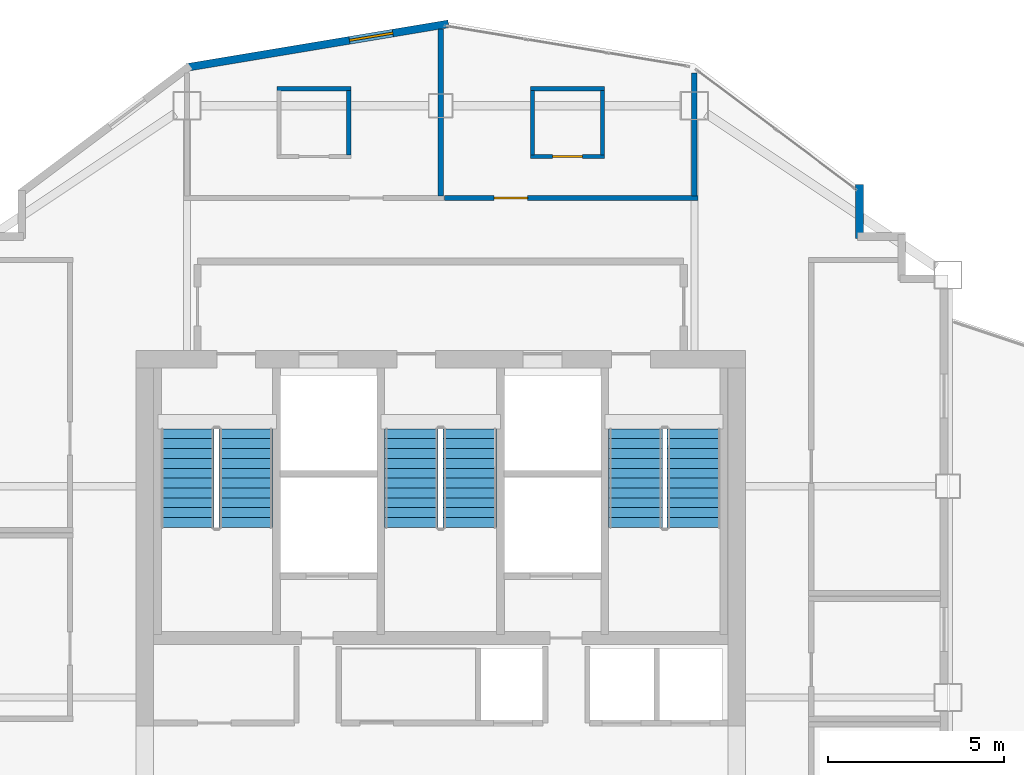
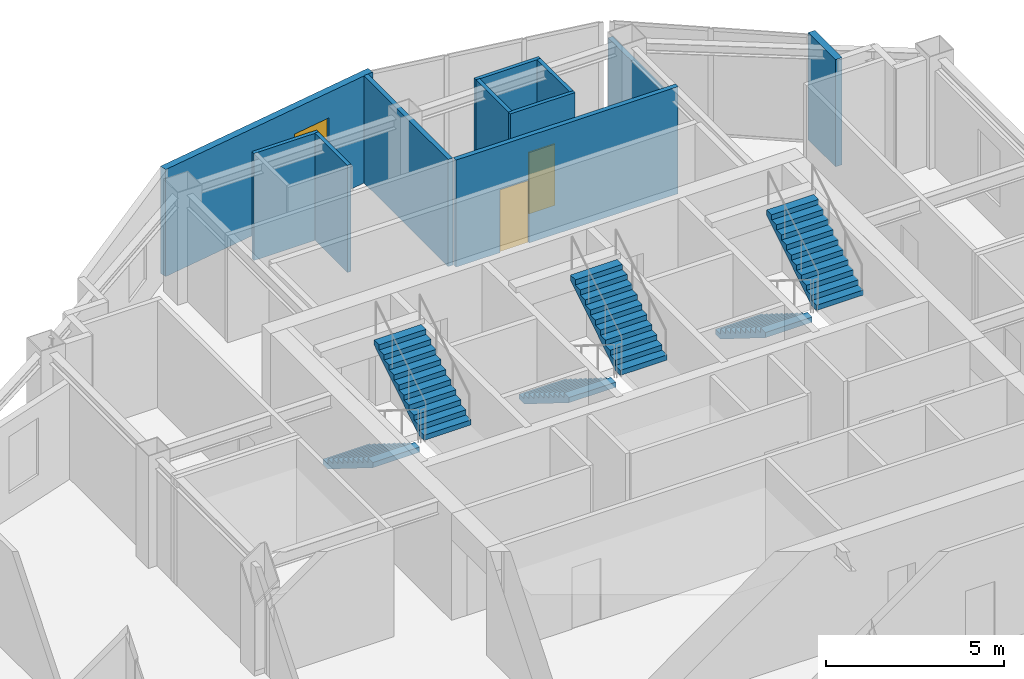
# One storey, part 8 of 10: 11 walls, 6 stair flights, 2 doors, 1 window, 3 openings, 3 elements without a shape of their own.
"""IFC4 building model written with IfcOpenShell, lengths in metres."""

from ifc_helpers import new_model, si_unit, direction, frame, frame_2d, origin, place, context, subcontext, project, spatial, polyline, rectangle, outline, extrude, material, layer, layer_set, type_object, element, fill, aggregate, save


model = new_model("IFC4")

# Units and contexts
model_context = context("Model", 3, precision=1e-05, world=origin(), true_north=direction((0.0, 1.0)))
body_context = subcontext(model_context, "Body", "Model", "MODEL_VIEW")
ifc_project = project(units=[si_unit("LENGTHUNIT", "METRE"), si_unit("AREAUNIT", "SQUARE_METRE"), si_unit("VOLUMEUNIT", "CUBIC_METRE"), si_unit("PLANEANGLEUNIT", "RADIAN"), si_unit("MASSUNIT", "GRAM", prefix="KILO")], contexts=[model_context])

# Site, building, storey
site_placement = place(None, origin())
site = spatial("IfcSite", under=ifc_project, at=site_placement, CompositionType="ELEMENT")
building_placement = place(site_placement, origin())
building = spatial("IfcBuilding", under=site, at=building_placement, Name="Haolan Belvedere Tower", CompositionType="ELEMENT")
storey_placement = place(building_placement, frame((0.0, 0.0, 235.199951171875)))
storey = spatial("IfcBuildingStorey", under=building, at=storey_placement, Name="L59", CompositionType="ELEMENT", Elevation=235.199951171875)

# Wall
ifc_material_1 = material(Name="Precast concrete C40/50", Category="concrete")
ifc_layer_1 = layer(ifc_material_1, 0.219970703125, Name="Precast concrete C40/50")
ifc_layer_set_1 = layer_set([ifc_layer_1], Name="Precast concrete C40/50")
wall_type_1 = type_object("IfcWallType", Name="WL-EXT-220", PredefinedType="SOLIDWALL", material=ifc_layer_set_1)
wall_1_placement = place(storey_placement, frame((50.2900390625, 46.635009765625, 0.0), z_axis=(0.0, 0.0, 1.0), x_axis=(0.0, 1.0, 0.0)))
element("IfcWall", 1, at=wall_1_placement, inside=storey, type_object=wall_type_1, Name="L59 pale-metal exterior spandrel wall 7.1", PredefinedType="SOLIDWALL", context=body_context, shape_type="SweptSolid", body=[
    extrude(rectangle(XDim=1.534912109375, YDim=0.219970703125, at=frame_2d((0.767578125, 0.0))), origin(), (0.0, 0.0, 1.0), 3.670166015625),
])

# Wall, opening, window
wall_2_placement = place(storey_placement, frame((38.621826171875, 52.7255859375, 0.0), z_axis=(0.0, 0.0, 1.0), x_axis=(-0.986390420428, -0.164420006349, 0.0)))
wall_2 = element("IfcWall", 2, at=wall_2_placement, inside=storey, type_object=wall_type_1, Name="L59 pale-metal exterior spandrel wall 10.1", PredefinedType="SOLIDWALL", context=body_context, shape_type="SweptSolid", body=[
    extrude(rectangle(XDim=7.5341796875, YDim=0.219970703125, at=frame_2d((3.76708984375, 0.0))), origin(), (0.0, 0.0, 1.0), 3.670166015625),
])
opening_1_placement = place(wall_2_placement, frame((1.60009765625, 0.0, 0.85009765625)))
opening_1 = element("IfcOpeningElement", 3, at=opening_1_placement, cuts=wall_2, Name="Opening W-04", PredefinedType="OPENING", context=body_context, shape_type="SweptSolid", body=[
    extrude(rectangle(XDim=1.25, YDim=1.949951171875, at=frame_2d((0.625, 0.97509765625))), frame((0.0, 0.119873046875, 0.0), z_axis=(0.0, -1.0, 0.0), x_axis=(1.0, 0.0, 0.0)), (0.0, 0.0, 1.0), 0.239990234375),
])
ifc_material_2 = material(Name="Anodised aluminium 6063-T6 and Low-E glass", Category="aluminium")
window_type = type_object("IfcWindowType", Name="WN-DECO-Z4", PartitioningType="SINGLE_PANEL", PredefinedType="WINDOW", material=ifc_material_2)
window_placement = place(opening_1_placement, origin())
window = element("IfcWindow", 4, at=window_placement, inside=storey, type_object=window_type, Name="L59 Art Deco chevron window 1", OverallHeight=1.949951171875, OverallWidth=1.25, PartitioningType="SINGLE_PANEL", PredefinedType="WINDOW", context=body_context, shape_type="SweptSolid", body=[
    extrude(rectangle(XDim=1.25, YDim=1.949951171875, at=frame_2d((0.625, 0.97509765625))), frame((0.0, 0.030029296875, 0.0), z_axis=(0.0, -1.0, 0.0), x_axis=(1.0, 0.0, 0.0)), (0.0, 0.0, 1.0), 0.06005859375),
])
fill(opening_1, window)

# Wall
ifc_material_3 = material(Name="Double gypsum acoustic stud partition", Category="masonry")
ifc_layer_2 = layer(ifc_material_3, 0.14990234375, Name="Double gypsum acoustic stud partition")
ifc_layer_set_2 = layer_set([ifc_layer_2], Name="Double gypsum acoustic stud partition")
wall_type_2 = type_object("IfcWallType", Name="WL-PART-150", PredefinedType="PARTITIONING", material=ifc_layer_set_2)
wall_3_placement = place(storey_placement, frame((38.39990234375, 47.840087890625, 0.0), z_axis=(0.0, 0.0, 1.0), x_axis=(0.0, 1.0, 0.0)))
element("IfcWall", 5, at=wall_3_placement, inside=storey, type_object=wall_type_2, Name="L59 interior partition IW-L59-KN2-E", PredefinedType="PARTITIONING", context=body_context, shape_type="SweptSolid", body=[
    extrude(rectangle(XDim=4.7451171875, YDim=0.14990234375, at=frame_2d((2.37255859375, 0.0))), origin(), (0.0, 0.0, 1.0), 3.670166015625),
])

# Wall, opening, door
wall_4_placement = place(storey_placement, frame((38.501953125, 47.780029296875, 0.0), z_axis=(0.0, 0.0, 1.0), x_axis=(1.0, 0.0, 0.0)))
wall_4 = element("IfcWall", 6, at=wall_4_placement, inside=storey, type_object=wall_type_2, Name="L59 interior partition IW-L59-KN3-S", PredefinedType="PARTITIONING", context=body_context, shape_type="SweptSolid", body=[
    extrude(rectangle(XDim=7.197998046875, YDim=0.14990234375, at=frame_2d((3.59912109375, 0.0))), origin(), (0.0, 0.0, 1.0), 3.670166015625),
])
opening_2_placement = place(wall_4_placement, frame((1.41748046875, 0.0, 0.0)))
opening_2 = element("IfcOpeningElement", 7, at=opening_2_placement, cuts=wall_4, Name="Opening ID-02", PredefinedType="OPENING", context=body_context, shape_type="SweptSolid", body=[
    extrude(rectangle(XDim=0.949951171875, YDim=2.14990234375, at=frame_2d((0.47509765625, 1.074951171875))), frame((0.0, 0.0849609375, 0.0), z_axis=(0.0, -1.0, 0.0), x_axis=(1.0, 0.0, 0.0)), (0.0, 0.0, 1.0), 0.169921875),
])
ifc_material_4 = material(Name="Acoustic oak veneer fire-rated timber", Category="wood")
door_type_1 = type_object("IfcDoorType", Name="DR-GUEST-950", OperationType="NOTDEFINED", PredefinedType="DOOR", material=ifc_material_4)
door_1_placement = place(opening_2_placement, origin())
door_1 = element("IfcDoor", 8, at=door_1_placement, inside=storey, type_object=door_type_1, Name="L59 door ID-L59-KN3-ENT", OperationType="SINGLE_SWING_LEFT", OverallHeight=2.14990234375, OverallWidth=0.949951171875, PredefinedType="DOOR", context=body_context, shape_type="SweptSolid", body=[
    extrude(rectangle(XDim=0.949951171875, YDim=2.14990234375, at=frame_2d((0.47509765625, 1.074951171875))), frame((0.0, 0.02490234375, 0.0), z_axis=(0.0, -1.0, 0.0), x_axis=(1.0, 0.0, 0.0)), (0.0, 0.0, 1.0), 0.050048828125),
])
fill(opening_2, door_1)

# Walls
wall_5_placement = place(storey_placement, frame((45.60009765625, 47.840087890625, 0.0), z_axis=(0.0, 0.0, 1.0), x_axis=(0.0, 1.0, 0.0)))
element("IfcWall", 9, at=wall_5_placement, inside=storey, type_object=wall_type_2, Name="L59 interior partition IW-L59-KN3-E", PredefinedType="PARTITIONING", context=body_context, shape_type="SweptSolid", body=[
    extrude(rectangle(XDim=3.494873046875, YDim=0.14990234375, at=frame_2d((1.74755859375, 0.0))), origin(), (0.0, 0.0, 1.0), 3.205078125),
])
ifc_material_5 = material(Name="Moisture-resistant gypsum tile partition", Category="masonry")
ifc_layer_3 = layer(ifc_material_5, 0.1201171875, Name="Moisture-resistant gypsum tile partition")
ifc_layer_set_3 = layer_set([ifc_layer_3], Name="Moisture-resistant gypsum tile partition")
wall_type_3 = type_object("IfcWallType", Name="WL-WET-120", PredefinedType="PARTITIONING", material=ifc_layer_set_3)
wall_6_placement = place(storey_placement, frame((33.75, 50.8798828125, 0.0), z_axis=(0.0, 0.0, 1.0), x_axis=(1.0, 0.0, 0.0)))
element("IfcWall", 10, at=wall_6_placement, inside=storey, type_object=wall_type_3, Name="L59 interior partition IW-L59-KN2-BN", PredefinedType="PARTITIONING", context=body_context, shape_type="SweptSolid", body=[
    extrude(rectangle(XDim=2.10009765625, YDim=0.1201171875, at=frame_2d((1.050048828125, 0.0))), origin(), (0.0, 0.0, 1.0), 3.670166015625),
])
wall_7_placement = place(storey_placement, frame((35.7900390625, 49.0048828125, 0.0), z_axis=(0.0, 0.0, 1.0), x_axis=(0.0, 1.0, 0.0)))
element("IfcWall", 11, at=wall_7_placement, inside=storey, type_object=wall_type_3, Name="L59 interior partition IW-L59-KN2-BE", PredefinedType="PARTITIONING", context=body_context, shape_type="SweptSolid", body=[
    extrude(rectangle(XDim=1.830078125, YDim=0.1201171875, at=frame_2d((0.9150390625, 0.0))), origin(), (0.0, 0.0, 1.0), 3.670166015625),
])
wall_8_placement = place(storey_placement, frame((40.949951171875, 50.8798828125, 0.0), z_axis=(0.0, 0.0, 1.0), x_axis=(1.0, 0.0, 0.0)))
element("IfcWall", 12, at=wall_8_placement, inside=storey, type_object=wall_type_3, Name="L59 interior partition IW-L59-KN3-BN", PredefinedType="PARTITIONING", context=body_context, shape_type="SweptSolid", body=[
    extrude(rectangle(XDim=2.10009765625, YDim=0.1201171875, at=frame_2d((1.050048828125, 0.0))), origin(), (0.0, 0.0, 1.0), 3.670166015625),
])

# Wall, opening, door
wall_9_placement = place(storey_placement, frame((40.949951171875, 48.9599609375, 0.0), z_axis=(0.0, 0.0, 1.0), x_axis=(1.0, 0.0, 0.0)))
wall_9 = element("IfcWall", 13, at=wall_9_placement, inside=storey, type_object=wall_type_3, Name="L59 interior partition IW-L59-KN3-BS", PredefinedType="PARTITIONING", context=body_context, shape_type="SweptSolid", body=[
    extrude(rectangle(XDim=2.10009765625, YDim=0.1201171875, at=frame_2d((1.050048828125, 0.0))), origin(), (0.0, 0.0, 1.0), 3.670166015625),
])
opening_3_placement = place(wall_9_placement, frame((0.625, 0.0, 0.0)))
opening_3 = element("IfcOpeningElement", 14, at=opening_3_placement, cuts=wall_9, Name="Opening ID-05", PredefinedType="OPENING", context=body_context, shape_type="SweptSolid", body=[
    extrude(rectangle(XDim=0.85009765625, YDim=2.10009765625, at=frame_2d((0.425048828125, 1.050048828125))), frame((0.0, 0.070068359375, 0.0), z_axis=(0.0, -1.0, 0.0), x_axis=(1.0, 0.0, 0.0)), (0.0, 0.0, 1.0), 0.14013671875),
])
ifc_material_6 = material(Name="Moisture-resistant lacquered timber", Category="wood")
door_type_2 = type_object("IfcDoorType", Name="DR-BATH-850", OperationType="NOTDEFINED", PredefinedType="DOOR", material=ifc_material_6)
door_2_placement = place(opening_3_placement, origin())
door_2 = element("IfcDoor", 15, at=door_2_placement, inside=storey, type_object=door_type_2, Name="L59 door ID-L59-KN3-BATH", OperationType="SINGLE_SWING_RIGHT", OverallHeight=2.10009765625, OverallWidth=0.85009765625, PredefinedType="DOOR", context=body_context, shape_type="SweptSolid", body=[
    extrude(rectangle(XDim=0.85009765625, YDim=2.10009765625, at=frame_2d((0.425048828125, 1.050048828125))), frame((0.0, 0.02490234375, 0.0), z_axis=(0.0, -1.0, 0.0), x_axis=(1.0, 0.0, 0.0)), (0.0, 0.0, 1.0), 0.050048828125),
])
fill(opening_3, door_2)

# Walls
for number, where, z_axis, x_axis, name in (
    (16, (41.010009765625, 49.0048828125, 0.0), (0.0, 0.0, 1.0), (0.0, 1.0, 0.0), "L59 interior partition IW-L59-KN3-BW"),
    (17, (42.989990234375, 49.0048828125, 0.0), (0.0, 0.0, 1.0), (0.0, 1.0, 0.0), "L59 interior partition IW-L59-KN3-BE"),
):
    element("IfcWall", number, at=place(storey_placement, frame(where, z_axis=z_axis, x_axis=x_axis)), inside=storey, type_object=wall_type_3, Name=name, PredefinedType="PARTITIONING", context=body_context, shape_type="SweptSolid", body=[
        extrude(rectangle(XDim=1.830078125, YDim=0.1201171875, at=frame_2d((0.9150390625, 0.0))), origin(), (0.0, 0.0, 1.0), 3.670166015625),
    ])

# Stair, stair flights
ifc_material_7 = material(Name="Concrete C40/50", Category="concrete")
stair_type = type_object("IfcStairType", Name="STR-DL-22R-175", PredefinedType="HALF_TURN_STAIR", material=ifc_material_7)
stair_1_placement = place(storey_placement, origin())
stair_1 = element("IfcStair", 18, at=stair_1_placement, inside=storey, type_object=stair_type, Name="L59 Smokeproof Core Exit Stair ST1", PredefinedType="HALF_TURN_STAIR")
stair_flight_type = type_object("IfcStairFlightType", Name="SFL-DL-11R-175", PredefinedType="STRAIGHT", material=ifc_material_7)
stair_flight_1_placement = place(storey_placement, frame((31.2099609375, 41.22998046875, 0.0), z_axis=(0.0, 0.0, 1.0), x_axis=(0.0, -1.0, 0.0)))
stair_flight_1 = element("IfcStairFlight", 19, at=stair_flight_1_placement, type_object=stair_flight_type, Name="ST1 flight 1", NumberOfRisers=11, NumberOfTreads=10, PredefinedType="STRAIGHT", RiserHeight=0.175, TreadLength=0.28, context=body_context, shape_type="SweptSolid", body=[
    extrude(outline(polyline([(0.0, 0.0), (0.0, 0.175048828125), (0.280029296875, 0.175048828125), (0.280029296875, 0.35009765625), (0.56005859375, 0.35009765625), (0.56005859375, 0.52490234375), (0.840087890625, 0.52490234375), (0.840087890625, 0.699951171875), (1.1201171875, 0.699951171875), (1.1201171875, 0.875), (1.39990234375, 0.875), (1.39990234375, 1.050048828125), (1.679931640625, 1.050048828125), (1.679931640625, 1.22509765625), (1.9599609375, 1.22509765625), (1.9599609375, 1.39990234375), (2.239990234375, 1.39990234375), (2.239990234375, 1.574951171875), (2.52001953125, 1.574951171875), (2.52001953125, 1.75), (2.800048828125, 1.75), (2.800048828125, 1.925048828125), (2.800048828125, 1.5732421875), (0.28271484375, 0.0), (0.0, 0.0)])), frame((0.0, 0.760009765625, 0.0), z_axis=(0.0, -1.0, 0.0), x_axis=(1.0, 0.0, 0.0)), (0.0, 0.0, 1.0), 1.52001953125),
])
stair_flight_2_placement = place(storey_placement, frame((32.8701171875, 38.429931640625, 1.925048828125), z_axis=(0.0, 0.0, 1.0), x_axis=(0.0, 1.0, 0.0)))
stair_flight_2 = element("IfcStairFlight", 20, at=stair_flight_2_placement, type_object=stair_flight_type, Name="ST1 flight 2", NumberOfRisers=11, NumberOfTreads=10, PredefinedType="STRAIGHT", RiserHeight=0.175, TreadLength=0.28, context=body_context, shape_type="SweptSolid", body=[
    extrude(outline(polyline([(0.0, 0.0), (0.0, 0.175048828125), (0.280029296875, 0.175048828125), (0.280029296875, 0.35009765625), (0.56005859375, 0.35009765625), (0.56005859375, 0.52490234375), (0.840087890625, 0.52490234375), (0.840087890625, 0.699951171875), (1.1201171875, 0.699951171875), (1.1201171875, 0.875), (1.39990234375, 0.875), (1.39990234375, 1.050048828125), (1.679931640625, 1.050048828125), (1.679931640625, 1.22509765625), (1.9599609375, 1.22509765625), (1.9599609375, 1.39990234375), (2.239990234375, 1.39990234375), (2.239990234375, 1.574951171875), (2.52001953125, 1.574951171875), (2.52001953125, 1.75), (2.800048828125, 1.75), (2.800048828125, 1.925048828125), (2.800048828125, 1.5732421875), (0.28271484375, 0.0), (0.0, 0.0)])), frame((0.0, 0.760009765625, 0.0), z_axis=(0.0, -1.0, 0.0), x_axis=(1.0, 0.0, 0.0)), (0.0, 0.0, 1.0), 1.52001953125),
])
aggregate(stair_1, [stair_flight_1, stair_flight_2])

stair_2_placement = place(storey_placement, origin())
stair_2 = element("IfcStair", 21, at=stair_2_placement, inside=storey, type_object=stair_type, Name="L59 Smokeproof Core Exit Stair ST3", PredefinedType="HALF_TURN_STAIR")
stair_flight_3_placement = place(storey_placement, frame((37.570068359375, 41.22998046875, 0.0), z_axis=(0.0, 0.0, 1.0), x_axis=(0.0, -1.0, 0.0)))
stair_flight_3 = element("IfcStairFlight", 22, at=stair_flight_3_placement, type_object=stair_flight_type, Name="ST3 flight 1", NumberOfRisers=11, NumberOfTreads=10, PredefinedType="STRAIGHT", RiserHeight=0.175, TreadLength=0.28, context=body_context, shape_type="SweptSolid", body=[
    extrude(outline(polyline([(0.0, 0.0), (0.0, 0.175048828125), (0.280029296875, 0.175048828125), (0.280029296875, 0.35009765625), (0.56005859375, 0.35009765625), (0.56005859375, 0.52490234375), (0.840087890625, 0.52490234375), (0.840087890625, 0.699951171875), (1.1201171875, 0.699951171875), (1.1201171875, 0.875), (1.39990234375, 0.875), (1.39990234375, 1.050048828125), (1.679931640625, 1.050048828125), (1.679931640625, 1.22509765625), (1.9599609375, 1.22509765625), (1.9599609375, 1.39990234375), (2.239990234375, 1.39990234375), (2.239990234375, 1.574951171875), (2.52001953125, 1.574951171875), (2.52001953125, 1.75), (2.800048828125, 1.75), (2.800048828125, 1.925048828125), (2.800048828125, 1.5732421875), (0.28271484375, 0.0), (0.0, 0.0)])), frame((0.0, 0.760009765625, 0.0), z_axis=(0.0, -1.0, 0.0), x_axis=(1.0, 0.0, 0.0)), (0.0, 0.0, 1.0), 1.52001953125),
])
stair_flight_4_placement = place(storey_placement, frame((39.22998046875, 38.429931640625, 1.925048828125), z_axis=(0.0, 0.0, 1.0), x_axis=(0.0, 1.0, 0.0)))
stair_flight_4 = element("IfcStairFlight", 23, at=stair_flight_4_placement, type_object=stair_flight_type, Name="ST3 flight 2", NumberOfRisers=11, NumberOfTreads=10, PredefinedType="STRAIGHT", RiserHeight=0.175, TreadLength=0.28, context=body_context, shape_type="SweptSolid", body=[
    extrude(outline(polyline([(0.0, 0.0), (0.0, 0.175048828125), (0.280029296875, 0.175048828125), (0.280029296875, 0.35009765625), (0.56005859375, 0.35009765625), (0.56005859375, 0.52490234375), (0.840087890625, 0.52490234375), (0.840087890625, 0.699951171875), (1.1201171875, 0.699951171875), (1.1201171875, 0.875), (1.39990234375, 0.875), (1.39990234375, 1.050048828125), (1.679931640625, 1.050048828125), (1.679931640625, 1.22509765625), (1.9599609375, 1.22509765625), (1.9599609375, 1.39990234375), (2.239990234375, 1.39990234375), (2.239990234375, 1.574951171875), (2.52001953125, 1.574951171875), (2.52001953125, 1.75), (2.800048828125, 1.75), (2.800048828125, 1.925048828125), (2.800048828125, 1.5732421875), (0.28271484375, 0.0), (0.0, 0.0)])), frame((0.0, 0.760009765625, 0.0), z_axis=(0.0, -1.0, 0.0), x_axis=(1.0, 0.0, 0.0)), (0.0, 0.0, 1.0), 1.52001953125),
])
aggregate(stair_2, [stair_flight_3, stair_flight_4])

stair_3_placement = place(storey_placement, origin())
stair_3 = element("IfcStair", 24, at=stair_3_placement, inside=storey, type_object=stair_type, Name="L59 Smokeproof Core Exit Stair ST2", PredefinedType="HALF_TURN_STAIR")
stair_flight_5_placement = place(storey_placement, frame((43.929931640625, 41.22998046875, 0.0), z_axis=(0.0, 0.0, 1.0), x_axis=(0.0, -1.0, 0.0)))
stair_flight_5 = element("IfcStairFlight", 25, at=stair_flight_5_placement, type_object=stair_flight_type, Name="ST2 flight 1", NumberOfRisers=11, NumberOfTreads=10, PredefinedType="STRAIGHT", RiserHeight=0.175, TreadLength=0.28, context=body_context, shape_type="SweptSolid", body=[
    extrude(outline(polyline([(0.0, 0.0), (0.0, 0.175048828125), (0.280029296875, 0.175048828125), (0.280029296875, 0.35009765625), (0.56005859375, 0.35009765625), (0.56005859375, 0.52490234375), (0.840087890625, 0.52490234375), (0.840087890625, 0.699951171875), (1.1201171875, 0.699951171875), (1.1201171875, 0.875), (1.39990234375, 0.875), (1.39990234375, 1.050048828125), (1.679931640625, 1.050048828125), (1.679931640625, 1.22509765625), (1.9599609375, 1.22509765625), (1.9599609375, 1.39990234375), (2.239990234375, 1.39990234375), (2.239990234375, 1.574951171875), (2.52001953125, 1.574951171875), (2.52001953125, 1.75), (2.800048828125, 1.75), (2.800048828125, 1.925048828125), (2.800048828125, 1.5732421875), (0.28271484375, 0.0), (0.0, 0.0)])), frame((0.0, 0.760009765625, 0.0), z_axis=(0.0, -1.0, 0.0), x_axis=(1.0, 0.0, 0.0)), (0.0, 0.0, 1.0), 1.52001953125),
])
stair_flight_6_placement = place(storey_placement, frame((45.590087890625, 38.429931640625, 1.925048828125), z_axis=(0.0, 0.0, 1.0), x_axis=(0.0, 1.0, 0.0)))
stair_flight_6 = element("IfcStairFlight", 26, at=stair_flight_6_placement, type_object=stair_flight_type, Name="ST2 flight 2", NumberOfRisers=11, NumberOfTreads=10, PredefinedType="STRAIGHT", RiserHeight=0.175, TreadLength=0.28, context=body_context, shape_type="SweptSolid", body=[
    extrude(outline(polyline([(0.0, 0.0), (0.0, 0.175048828125), (0.280029296875, 0.175048828125), (0.280029296875, 0.35009765625), (0.56005859375, 0.35009765625), (0.56005859375, 0.52490234375), (0.840087890625, 0.52490234375), (0.840087890625, 0.699951171875), (1.1201171875, 0.699951171875), (1.1201171875, 0.875), (1.39990234375, 0.875), (1.39990234375, 1.050048828125), (1.679931640625, 1.050048828125), (1.679931640625, 1.22509765625), (1.9599609375, 1.22509765625), (1.9599609375, 1.39990234375), (2.239990234375, 1.39990234375), (2.239990234375, 1.574951171875), (2.52001953125, 1.574951171875), (2.52001953125, 1.75), (2.800048828125, 1.75), (2.800048828125, 1.925048828125), (2.800048828125, 1.5732421875), (0.28271484375, 0.0), (0.0, 0.0)])), frame((0.0, 0.760009765625, 0.0), z_axis=(0.0, -1.0, 0.0), x_axis=(1.0, 0.0, 0.0)), (0.0, 0.0, 1.0), 1.52001953125),
])
aggregate(stair_3, [stair_flight_5, stair_flight_6])

save(model, "model.ifc")
